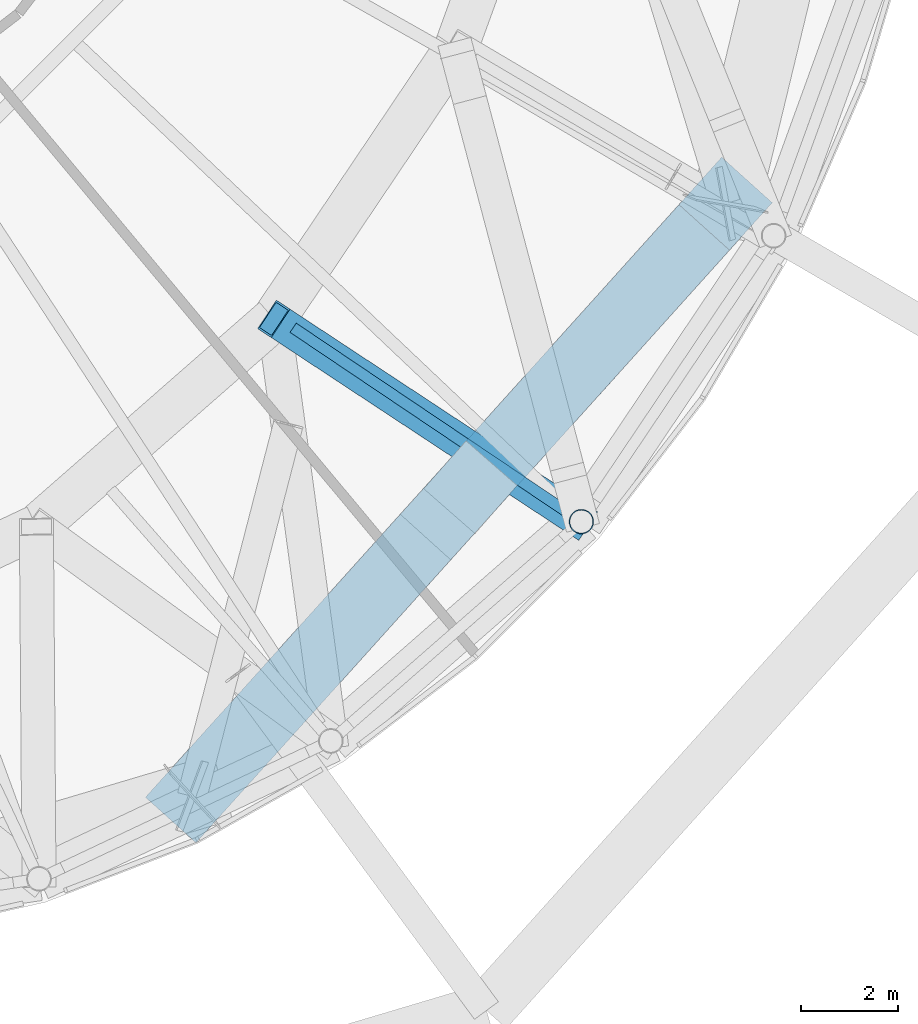
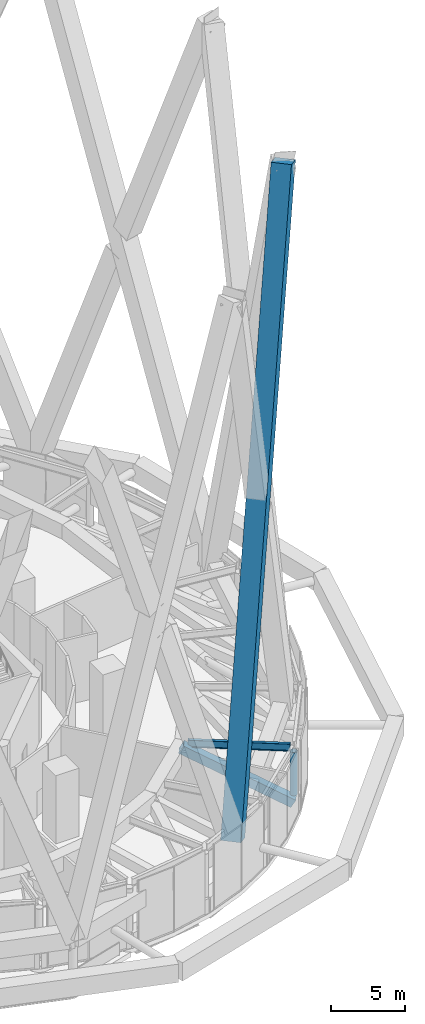
# One storey, part 19 of 60: 2 beams, 2 members.
"""IFC4 building model written with IfcOpenShell, lengths in metres."""

from ifc_helpers import new_model, si_unit, direction, frame, origin, origin_2d, place, context, subcontext, project, spatial, rectangle, hollow_rectangle, hollow_circle, i_section, extrude, material, material_profile, profile_set, type_object, element, save


model = new_model("IFC4")

# Units and contexts
model_context = context("Model", 3, precision=1e-05, world=origin(), true_north=direction((0.0, 1.0)))
body_context = subcontext(model_context, "Body", "Model", "MODEL_VIEW")
ifc_project = project(units=[si_unit("LENGTHUNIT", "METRE"), si_unit("AREAUNIT", "SQUARE_METRE"), si_unit("VOLUMEUNIT", "CUBIC_METRE"), si_unit("PLANEANGLEUNIT", "RADIAN"), si_unit("MASSUNIT", "GRAM", prefix="KILO")], contexts=[model_context])

# Site, building, storey
site_placement = place(None, origin())
site = spatial("IfcSite", under=ifc_project, at=site_placement, CompositionType="ELEMENT")
building_placement = place(site_placement, origin())
building = spatial("IfcBuilding", under=site, at=building_placement, Name="Nagisa Residences", CompositionType="ELEMENT")
storey_placement = place(building_placement, frame((0.0, 0.0, 206.60009765625)))
storey = spatial("IfcBuildingStorey", under=building, at=storey_placement, Name="L52", CompositionType="ELEMENT", Elevation=206.60009765625)

# Beam
ifc_material_1 = material(Name="Steel ASTM A572 Gr 50", Category="steel")
ifc_material_profile_1 = material_profile(ifc_material_1, hollow_rectangle(XDim=0.699951171875, YDim=0.699951171875, WallThickness=0.0400390625, at=origin_2d()), Name="BX 700x700x40")
ifc_profile_set_1 = profile_set([ifc_material_profile_1], Name="Steel ASTM A572 Gr 50")
beam_type_1 = type_object("IfcBeamType", Name="Belt diagonal 4 BX 700x700x40", PredefinedType="BEAM", material=ifc_profile_set_1)
beam_1_placement = place(storey_placement, frame((21.189208984375, -20.064208984375, 0.599853515625), z_axis=(-0.732594205167, 0.482898898618, 0.479702391352), x_axis=(-0.550355248011, -0.834930596509, 0.0)))
element("IfcBeam", 1, at=beam_1_placement, inside=storey, type_object=beam_type_1, Name="beam:L52:bt4da22", PredefinedType="BEAM", context=body_context, shape_type="SweptSolid", body=[
    extrude(hollow_rectangle(XDim=0.699951171875, YDim=0.699951171875, WallThickness=0.0400390625, at=origin_2d()), origin(), (0.0, 0.0, 1.0), 8.630615234375),
])

# Members
ifc_material_2 = material(Name="Concrete C80", Category="concrete")
ifc_material_profile_2 = material_profile(ifc_material_2, rectangle(XDim=1.39990234375, YDim=1.39990234375, at=origin_2d()), Name="C80 1400x1400")
ifc_profile_set_2 = profile_set([ifc_material_profile_2], Name="Concrete C80")
member_type_1 = type_object("IfcMemberType", Name="Cage diagonal 5 C80 1400x1400", PredefinedType="BRACE", material=ifc_profile_set_2)
member_1_placement = place(storey_placement, frame((13.18505859375, -25.71240234375, 3.699951171875), z_axis=(0.231310436401, 0.25693723584, 0.938338285935), x_axis=(-0.743197883357, 0.669071674915, 0.0)))
element("IfcMember", 2, at=member_1_placement, inside=storey, type_object=member_type_1, Name="mem:L52:cg5d021", PredefinedType="BRACE", context=body_context, shape_type="SweptSolid", body=[
    extrude(rectangle(XDim=1.39990234375, YDim=1.39990234375, at=origin_2d()), origin(), (0.0, 0.0, 1.0), 47.42431640625),
])
ifc_material_3 = material(Name="Steel ASTM A572 Gr 65", Category="steel")
ifc_material_profile_3 = material_profile(ifc_material_3, hollow_circle(Radius=0.25390625, WallThickness=0.02001953125, at=origin_2d()), Name="CHS 508x20")
ifc_profile_set_3 = profile_set([ifc_material_profile_3], Name="Steel ASTM A572 Gr 65")
member_type_2 = type_object("IfcMemberType", Name="Garden edge post CHS 508x20", PredefinedType="POST", material=ifc_profile_set_3)
member_2_placement = place(storey_placement, frame((21.189208984375, -20.064208984375, 1.199951171875), z_axis=(0.0, 0.0, 1.0), x_axis=(1.0, 0.0, 0.0)))
element("IfcMember", 3, at=member_2_placement, inside=storey, type_object=member_type_2, Name="mem:L52:gp422", PredefinedType="POST", context=body_context, shape_type="SweptSolid", body=[
    extrude(hollow_circle(Radius=0.25390625, WallThickness=0.02001953125, at=origin_2d()), origin(), (0.0, 0.0, 1.0), 3.536865234375),
])

# Beam
ifc_material_4 = material(Name="Steel ASTM A572 Gr 50", Category="steel")
ifc_material_profile_4 = material_profile(ifc_material_4, i_section(OverallWidth=0.22802734375, OverallDepth=0.60302734375, WebThickness=0.010498046875, FlangeThickness=0.014892578125, at=origin_2d()), Name="W610x101")
ifc_profile_set_4 = profile_set([ifc_material_profile_4], Name="Steel ASTM A572 Gr 50")
beam_type_2 = type_object("IfcBeamType", Name="Garden radial beam W610x101", PredefinedType="BEAM", material=ifc_profile_set_4)
beam_2_placement = place(storey_placement, frame((20.9951171875, -19.93359375, 5.038330078125), z_axis=(-0.829765256333, 0.55811255082, 0.0), x_axis=(-0.55811255082, -0.829765256333, 0.0)))
element("IfcBeam", 4, at=beam_2_placement, inside=storey, type_object=beam_type_2, Name="beam:L52:bt4gr22", PredefinedType="BEAM", context=body_context, shape_type="SweptSolid", body=[
    extrude(i_section(OverallWidth=0.22802734375, OverallDepth=0.60302734375, WebThickness=0.010498046875, FlangeThickness=0.014892578125, at=origin_2d()), origin(), (0.0, 0.0, 1.0), 6.908447265625),
])

save(model, "model.ifc")
